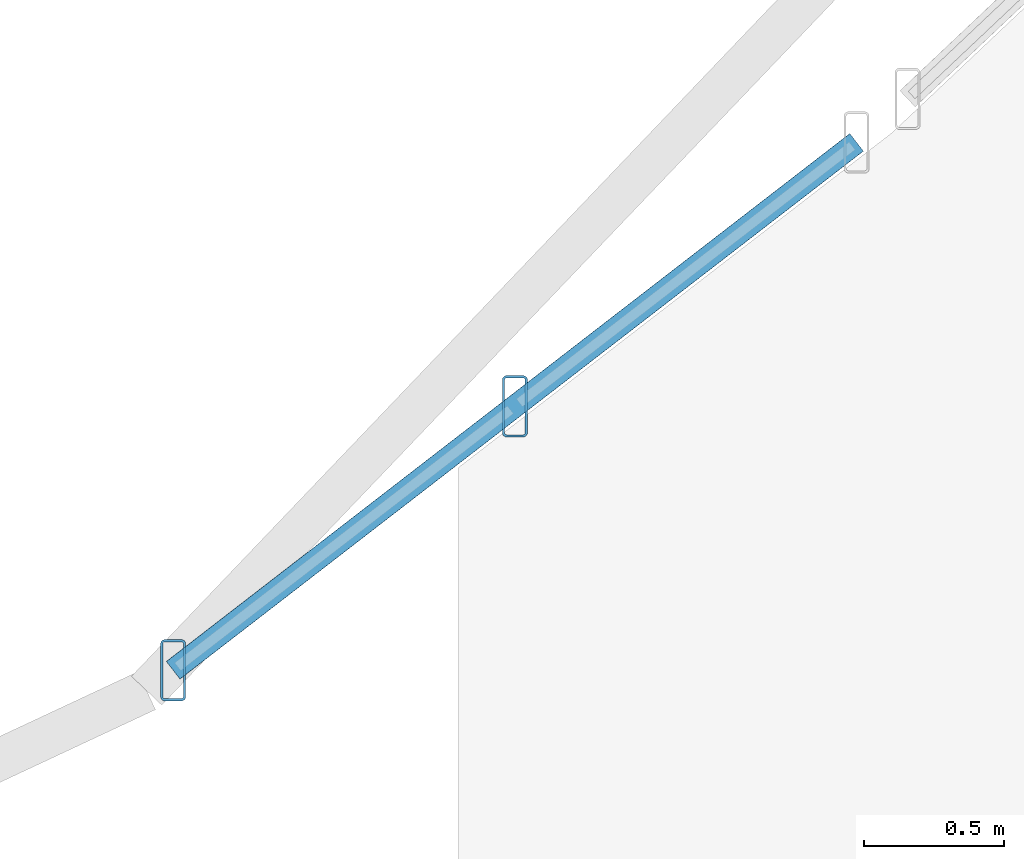
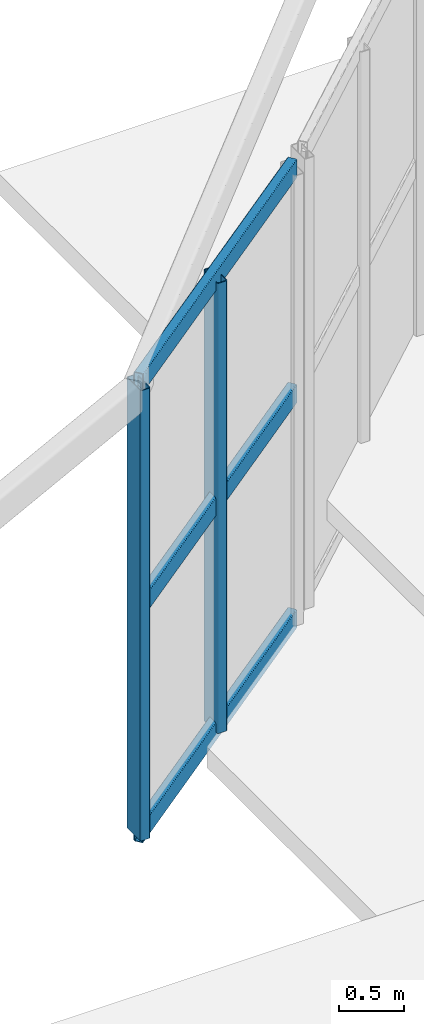
# One storey, part 23 of 73: 5 members, 1 element without a shape of its own.
"""IFC4 building model written with IfcOpenShell, lengths in metres."""

from ifc_helpers import new_model, si_unit, derived_unit, direction, frame, origin, origin_2d, place, context, subcontext, project, spatial, hollow_rectangle, extrude, material, material_profile, profile_set, type_object, element, aggregate, save


model = new_model("IFC4")

# Units and contexts
model_context = context("Model", 3, precision=1e-05, world=origin(), true_north=direction((0.0, 1.0)))
body_context = subcontext(model_context, "Body", "Model", "MODEL_VIEW")
ifc_project = project(units=[si_unit("LENGTHUNIT", "METRE"), si_unit("AREAUNIT", "SQUARE_METRE"), si_unit("VOLUMEUNIT", "CUBIC_METRE"), si_unit("PLANEANGLEUNIT", "RADIAN"), si_unit("MASSUNIT", "GRAM", prefix="KILO"), derived_unit("THERMALTRANSMITTANCEUNIT", [(si_unit("MASSUNIT", "GRAM", prefix="KILO"), 1), (si_unit("TIMEUNIT", "SECOND"), -3), (si_unit("THERMODYNAMICTEMPERATUREUNIT", "KELVIN"), -1)])], contexts=[model_context])

# Site, building, storey
site_placement = place(None, origin())
site = spatial("IfcSite", under=ifc_project, at=site_placement, CompositionType="ELEMENT")
building_placement = place(site_placement, origin())
building = spatial("IfcBuilding", under=site, at=building_placement, Name="Kharveza Railside Sports Centre", CompositionType="ELEMENT")
storey_placement = place(building_placement, frame((0.0, 0.0, 8.699951171875)))
storey = spatial("IfcBuildingStorey", under=building, at=storey_placement, Name="L02", CompositionType="ELEMENT", Elevation=8.699951171875)

# Curtain wall, members
ifc_material_1 = material(Name="Low-E solar-control laminated glass", Category="glass")
curtain_wall_type = type_object("IfcCurtainWallType", Name="CW-DR01", PredefinedType="NOTDEFINED", material=ifc_material_1)
curtain_wall_placement = place(storey_placement, origin())
curtain_wall = element("IfcCurtainWall", 1, at=curtain_wall_placement, inside=storey, type_object=curtain_wall_type, Name="CW-DRUM-57", PredefinedType="NOTDEFINED")
ifc_material_2 = material(Name="Anodised aluminium 6063-T6", Category="aluminium")
ifc_material_profile_1 = material_profile(ifc_material_2, hollow_rectangle(XDim=0.090087890625, YDim=0.219970703125, WallThickness=0.008056640625, InnerFilletRadius=0.008056640625, OuterFilletRadius=0.01611328125, at=origin_2d()), Name="RHS 90x220x8.0")
ifc_profile_set_1 = profile_set([ifc_material_profile_1], Name="Anodised aluminium 6063-T6")
member_type_1 = type_object("IfcMemberType", Name="CW-ML01", PredefinedType="MULLION", material=ifc_profile_set_1)
member_1_placement = place(storey_placement, frame((82.979248046875, 30.67431640625, 0.0), z_axis=(0.0, 0.0, 1.0), x_axis=(1.0, 0.0, 0.0)))
member_1 = element("IfcMember", 2, at=member_1_placement, type_object=member_type_1, Name="CW-DRUM-57-ML1", PredefinedType="MULLION", context=body_context, shape_type="SweptSolid", body=[
    extrude(hollow_rectangle(XDim=0.090087890625, YDim=0.219970703125, WallThickness=0.008056640625, InnerFilletRadius=0.008056640625, OuterFilletRadius=0.01611328125, at=origin_2d()), origin(), (0.0, 0.0, 1.0), 4.199951171875),
])
member_2_placement = place(storey_placement, frame((84.202392578125, 31.618896484375, 0.0), z_axis=(0.0, 0.0, 1.0), x_axis=(1.0, 0.0, 0.0)))
member_2 = element("IfcMember", 3, at=member_2_placement, type_object=member_type_1, Name="CW-DRUM-57-ML2", PredefinedType="MULLION", context=body_context, shape_type="SweptSolid", body=[
    extrude(hollow_rectangle(XDim=0.090087890625, YDim=0.219970703125, WallThickness=0.008056640625, InnerFilletRadius=0.008056640625, OuterFilletRadius=0.01611328125, at=origin_2d()), origin(), (0.0, 0.0, 1.0), 4.199951171875),
])
ifc_material_profile_2 = material_profile(ifc_material_2, hollow_rectangle(XDim=0.080078125, YDim=0.179931640625, WallThickness=0.00634765625, InnerFilletRadius=0.00634765625, OuterFilletRadius=0.0126953125, at=origin_2d()), Name="RHS 80x180x6.3")
ifc_profile_set_2 = profile_set([ifc_material_profile_2], Name="Anodised aluminium 6063-T6")
member_type_2 = type_object("IfcMemberType", Name="CW-TR01", PredefinedType="USERDEFINED", material=ifc_profile_set_2)
member_3_placement = place(storey_placement, frame((82.979248046875, 30.67431640625, 0.0), z_axis=(0.791397903332, 0.611301364796, 0.0), x_axis=(-0.611301364796, 0.791397903332, 0.0)))
member_3 = element("IfcMember", 4, at=member_3_placement, type_object=member_type_2, Name="CW-DRUM-57-TR1", ObjectType="TRANSOM", PredefinedType="USERDEFINED", context=body_context, shape_type="SweptSolid", body=[
    extrude(hollow_rectangle(XDim=0.080078125, YDim=0.179931640625, WallThickness=0.00634765625, InnerFilletRadius=0.00634765625, OuterFilletRadius=0.0126953125, at=origin_2d()), origin(), (0.0, 0.0, 1.0), 3.0908203125),
])
member_4_placement = place(storey_placement, frame((82.979248046875, 30.67431640625, 2.10009765625), z_axis=(0.791397903332, 0.611301364796, 0.0), x_axis=(-0.611301364796, 0.791397903332, 0.0)))
member_4 = element("IfcMember", 5, at=member_4_placement, type_object=member_type_2, Name="CW-DRUM-57-TR2", ObjectType="TRANSOM", PredefinedType="USERDEFINED", context=body_context, shape_type="SweptSolid", body=[
    extrude(hollow_rectangle(XDim=0.080078125, YDim=0.179931640625, WallThickness=0.00634765625, InnerFilletRadius=0.00634765625, OuterFilletRadius=0.0126953125, at=origin_2d()), origin(), (0.0, 0.0, 1.0), 3.0908203125),
])
member_5_placement = place(storey_placement, frame((82.979248046875, 30.67431640625, 4.199951171875), z_axis=(0.791397903332, 0.611301364796, 0.0), x_axis=(-0.611301364796, 0.791397903332, 0.0)))
member_5 = element("IfcMember", 6, at=member_5_placement, type_object=member_type_2, Name="CW-DRUM-57-TR3", ObjectType="TRANSOM", PredefinedType="USERDEFINED", context=body_context, shape_type="SweptSolid", body=[
    extrude(hollow_rectangle(XDim=0.080078125, YDim=0.179931640625, WallThickness=0.00634765625, InnerFilletRadius=0.00634765625, OuterFilletRadius=0.0126953125, at=origin_2d()), origin(), (0.0, 0.0, 1.0), 3.0908203125),
])
aggregate(curtain_wall, [member_1, member_2, member_3, member_4, member_5])

save(model, "model.ifc")
